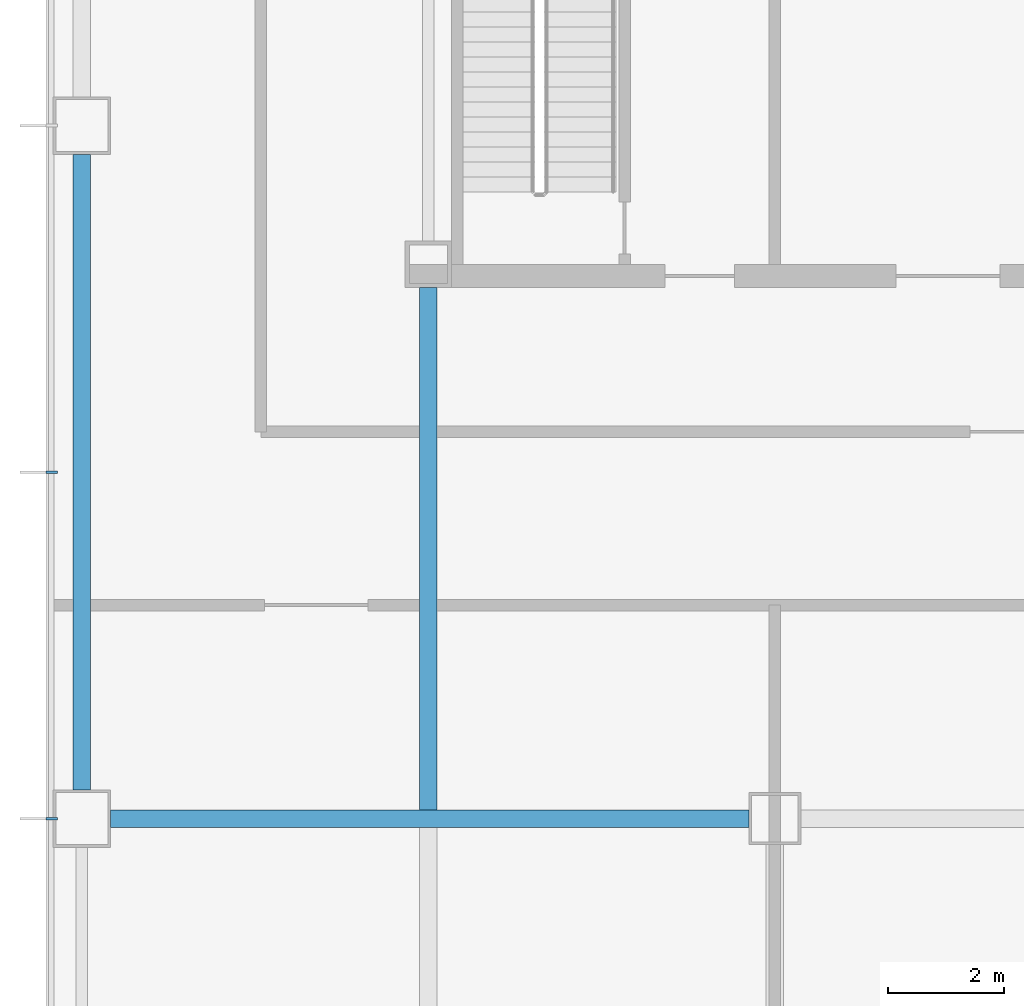
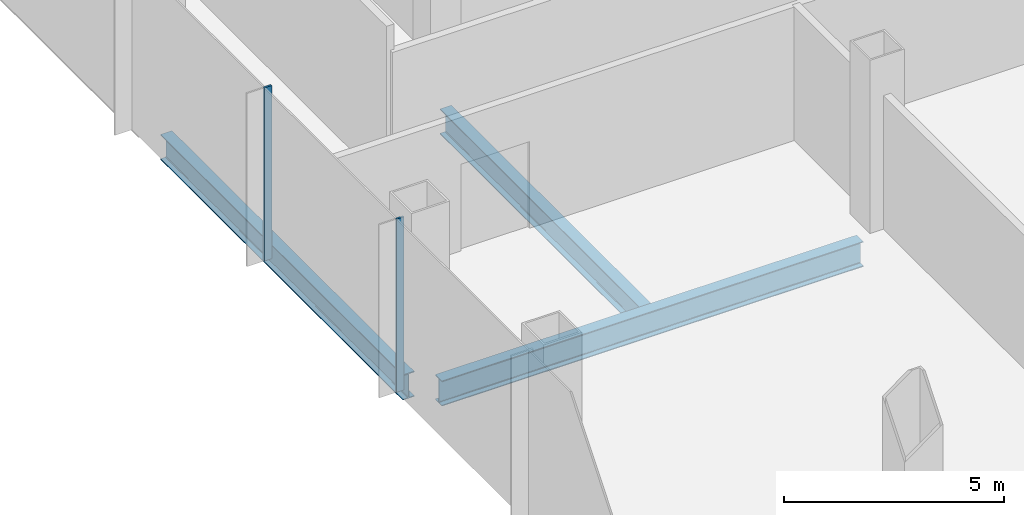
# One storey, part 4 of 33: 3 beams, 2 members, 1 element without a shape of its own.
"""IFC4 building model written with IfcOpenShell, lengths in metres."""

from ifc_helpers import new_model, si_unit, direction, frame, origin, origin_2d, place, context, subcontext, project, spatial, rectangle, i_section, extrude, material, material_profile, profile_set, type_object, element, aggregate, save


model = new_model("IFC4")

# Units and contexts
model_context = context("Model", 3, precision=1e-05, world=origin(), true_north=direction((0.0, 1.0)))
body_context = subcontext(model_context, "Body", "Model", "MODEL_VIEW")
ifc_project = project(units=[si_unit("LENGTHUNIT", "METRE"), si_unit("AREAUNIT", "SQUARE_METRE"), si_unit("VOLUMEUNIT", "CUBIC_METRE"), si_unit("PLANEANGLEUNIT", "RADIAN"), si_unit("MASSUNIT", "GRAM", prefix="KILO")], contexts=[model_context])

# Site, building, storey
site_placement = place(None, origin())
site = spatial("IfcSite", under=ifc_project, at=site_placement, CompositionType="ELEMENT")
building_placement = place(site_placement, origin())
building = spatial("IfcBuilding", under=site, at=building_placement, Name="Sorahane Residences", CompositionType="ELEMENT")
storey_placement = place(building_placement, frame((0.0, 0.0, 30.0)))
storey = spatial("IfcBuildingStorey", under=building, at=storey_placement, Name="L04", CompositionType="ELEMENT", Elevation=30.0)

# Curtain wall, members
ifc_material_1 = material(Name="Dark low-e glass and black anodised aluminium", Category="aluminium")
curtain_wall_type = type_object("IfcCurtainWallType", Name="Curtain wall CW-3 Podium unitised wall", PredefinedType="NOTDEFINED", material=ifc_material_1)
curtain_wall_placement = place(storey_placement, origin())
curtain_wall = element("IfcCurtainWall", 1, at=curtain_wall_placement, inside=storey, type_object=curtain_wall_type, Name="CW-3 curtain wall L04 W1", PredefinedType="NOTDEFINED")
ifc_material_2 = material(Name="Black anodised aluminium", Category="aluminium")
ifc_material_profile_1 = material_profile(ifc_material_2, rectangle(XDim=0.199951171875, YDim=0.050048828125, at=origin_2d()), Name="Curtain wall mullion CW-3 black anodised aluminium 50x200")
ifc_profile_set_1 = profile_set([ifc_material_profile_1], Name="Black anodised aluminium")
member_type = type_object("IfcMemberType", Name="Curtain wall mullion CW-3 black anodised aluminium 50x200", PredefinedType="MULLION", material=ifc_profile_set_1)
member_1_placement = place(storey_placement, frame((-0.52001953125, 18.0, -0.39990234375), z_axis=(0.0, 0.0, 1.0), x_axis=(-1.0, 0.0, 0.0)))
member_1 = element("IfcMember", 2, at=member_1_placement, type_object=member_type, Name="CW-3 mullion L04 W1.6", PredefinedType="MULLION", context=body_context, shape_type="SweptSolid", body=[
    extrude(rectangle(XDim=0.199951171875, YDim=0.050048828125, at=origin_2d()), origin(), (0.0, 0.0, 1.0), 4.7998046875),
])
member_2_placement = place(storey_placement, frame((-0.52001953125, 12.0, -0.39990234375), z_axis=(0.0, 0.0, 1.0), x_axis=(-1.0, 0.0, 0.0)))
member_2 = element("IfcMember", 3, at=member_2_placement, type_object=member_type, Name="CW-3 mullion L04 W1.7", PredefinedType="MULLION", context=body_context, shape_type="SweptSolid", body=[
    extrude(rectangle(XDim=0.199951171875, YDim=0.050048828125, at=origin_2d()), origin(), (0.0, 0.0, 1.0), 4.7998046875),
])
aggregate(curtain_wall, [member_1, member_2])

# Beams
ifc_material_3 = material(Name="Steel Q355B", Category="steel")
ifc_material_profile_2 = material_profile(ifc_material_3, i_section(OverallWidth=0.300048828125, OverallDepth=0.699951171875, WebThickness=0.012939453125, FlangeThickness=0.02392578125, FilletRadius=0.028076171875, at=origin_2d()), Name="HN 700x300x13x24")
ifc_profile_set_2 = profile_set([ifc_material_profile_2], Name="Steel Q355B")
beam_type = type_object("IfcBeamType", Name="Steel floor beam HN 700x300x13x24 Q355B", PredefinedType="BEAM", material=ifc_profile_set_2)
beam_1_placement = place(storey_placement, frame((0.5, 12.0, -0.75), z_axis=(1.0, 0.0, 0.0), x_axis=(0.0, 1.0, 0.0)))
element("IfcBeam", 4, at=beam_1_placement, inside=storey, type_object=beam_type, Name="Beam L04 008", PredefinedType="BEAM", context=body_context, shape_type="SweptSolid", body=[
    extrude(i_section(OverallWidth=0.300048828125, OverallDepth=0.699951171875, WebThickness=0.012939453125, FlangeThickness=0.02392578125, FilletRadius=0.028076171875, at=origin_2d()), origin(), (0.0, 0.0, 1.0), 11.050048828125),
])
beam_2_placement = place(storey_placement, frame((0.0, 12.5, -0.75), z_axis=(0.0, 1.0, 0.0), x_axis=(-1.0, 0.0, 0.0)))
element("IfcBeam", 5, at=beam_2_placement, inside=storey, type_object=beam_type, Name="Beam L04 026", PredefinedType="BEAM", context=body_context, shape_type="SweptSolid", body=[
    extrude(i_section(OverallWidth=0.300048828125, OverallDepth=0.699951171875, WebThickness=0.012939453125, FlangeThickness=0.02392578125, FilletRadius=0.028076171875, at=origin_2d()), origin(), (0.0, 0.0, 1.0), 11.0),
])
beam_3_placement = place(storey_placement, frame((6.0, 12.14990234375, -0.75), z_axis=(0.0, 1.0, 0.0), x_axis=(-1.0, 0.0, 0.0)))
element("IfcBeam", 6, at=beam_3_placement, inside=storey, type_object=beam_type, Name="Beam L04 030", PredefinedType="BEAM", context=body_context, shape_type="SweptSolid", body=[
    extrude(i_section(OverallWidth=0.300048828125, OverallDepth=0.699951171875, WebThickness=0.012939453125, FlangeThickness=0.02392578125, FilletRadius=0.028076171875, at=origin_2d()), origin(), (0.0, 0.0, 1.0), 9.050048828125),
])

save(model, "model.ifc")
